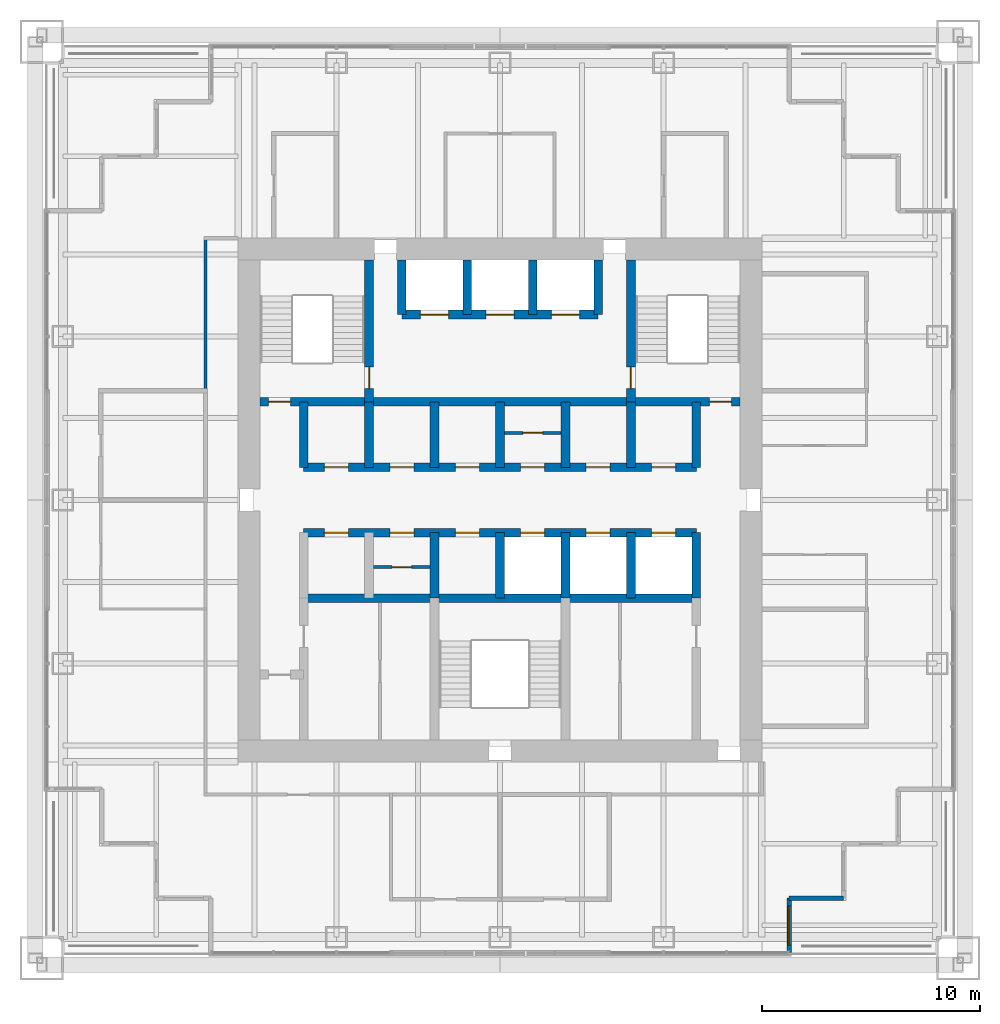
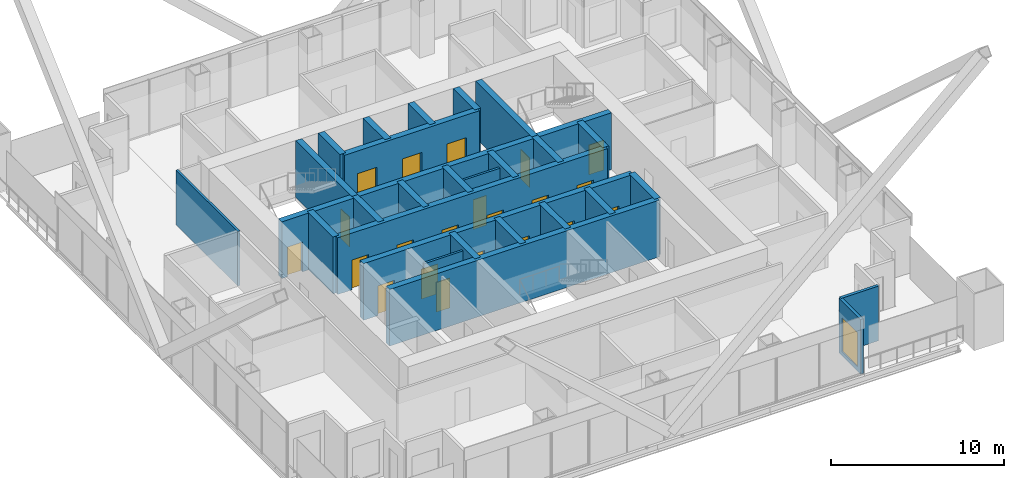
# One storey, part 13 of 17: 28 walls, 21 doors, 1 window, 22 openings.
"""IFC4 building model written with IfcOpenShell, lengths in metres."""

from ifc_helpers import new_model, si_unit, direction, frame, frame_2d, origin, place, context, subcontext, project, spatial, rectangle, extrude, material, layer, layer_set, type_object, element, fill, save


model = new_model("IFC4")

# Units and contexts
model_context = context("Model", 3, precision=1e-05, world=origin(), true_north=direction((0.0, 1.0)))
body_context = subcontext(model_context, "Body", "Model", "MODEL_VIEW")
ifc_project = project(units=[si_unit("LENGTHUNIT", "METRE"), si_unit("AREAUNIT", "SQUARE_METRE"), si_unit("VOLUMEUNIT", "CUBIC_METRE"), si_unit("PLANEANGLEUNIT", "RADIAN"), si_unit("MASSUNIT", "GRAM", prefix="KILO")], contexts=[model_context])

# Site, building, storey
site_placement = place(None, origin())
site = spatial("IfcSite", under=ifc_project, at=site_placement, CompositionType="ELEMENT")
building_placement = place(site_placement, origin())
building = spatial("IfcBuilding", under=site, at=building_placement, Name="Tarangal Relay Tower", CompositionType="ELEMENT")
storey_placement = place(building_placement, frame((0.0, 0.0, 315.89990234375)))
storey = spatial("IfcBuildingStorey", under=building, at=storey_placement, Name="L70", CompositionType="ELEMENT", Elevation=315.89990234375)

# Wall, openings, doors
ifc_material_1 = material(Name="Concrete fc' 60 MPa", Category="concrete")
ifc_layer_1 = layer(ifc_material_1, 0.39990234375)
ifc_layer_set_1 = layer_set([ifc_layer_1], Name="Core inner wall 400")
wall_type_1 = type_object("IfcWallType", Name="Core inner wall 400", PredefinedType="SHEAR", material=ifc_layer_set_1)
wall_1_placement = place(storey_placement, frame((-11.0, 4.5, 0.0), z_axis=(0.0, 0.0, 1.0), x_axis=(1.0, 0.0, 0.0)))
wall_1 = element("IfcWall", 1, at=wall_1_placement, inside=storey, type_object=wall_type_1, Name="Core wall Y45 L70", PredefinedType="SHEAR", context=body_context, shape_type="SweptSolid", body=[
    extrude(rectangle(XDim=22.0, YDim=0.39990234375, at=frame_2d((11.0, 0.0))), origin(), (0.0, 0.0, 1.0), 4.0),
])
opening_1_placement = place(wall_1_placement, frame((0.39990234375, 0.0, 0.0)))
opening_1 = element("IfcOpeningElement", 2, at=opening_1_placement, cuts=wall_1, Name="Opening FD1", PredefinedType="OPENING", context=body_context, shape_type="SweptSolid", body=[
    extrude(rectangle(XDim=1.0, YDim=2.10009765625, at=frame_2d((0.5, 1.050048828125))), frame((0.0, 0.2099609375, 0.0), z_axis=(0.0, -1.0, 0.0), x_axis=(1.0, 0.0, 0.0)), (0.0, 0.0, 1.0), 0.419921875),
])
opening_2_placement = place(wall_1_placement, frame((20.60009765625, 0.0, 0.0)))
opening_2 = element("IfcOpeningElement", 3, at=opening_2_placement, cuts=wall_1, Name="Opening FD1", PredefinedType="OPENING", context=body_context, shape_type="SweptSolid", body=[
    extrude(rectangle(XDim=1.0, YDim=2.10009765625, at=frame_2d((0.5, 1.050048828125))), frame((0.0, 0.2099609375, 0.0), z_axis=(0.0, -1.0, 0.0), x_axis=(1.0, 0.0, 0.0)), (0.0, 0.0, 1.0), 0.419921875),
])
ifc_material_2 = material(Name="Steel door with hardwood frame", Category="steel")
door_type_1 = type_object("IfcDoorType", Name="Fire door 1000 x 2100", OperationType="SINGLE_SWING_LEFT", PredefinedType="DOOR", material=ifc_material_2)
door_1_placement = place(opening_1_placement, origin())
door_1 = element("IfcDoor", 4, at=door_1_placement, inside=storey, type_object=door_type_1, Name="Stair ST-A door from corridor L70", OperationType="SINGLE_SWING_LEFT", OverallHeight=2.10009765625, OverallWidth=1.0, PredefinedType="DOOR", context=body_context, shape_type="SweptSolid", body=[
    extrude(rectangle(XDim=1.0, YDim=2.10009765625, at=frame_2d((0.5, 1.050048828125))), frame((0.0, 0.02490234375, 0.0), z_axis=(0.0, -1.0, 0.0), x_axis=(1.0, 0.0, 0.0)), (0.0, 0.0, 1.0), 0.050048828125),
])
fill(opening_1, door_1)
door_2_placement = place(opening_2_placement, origin())
door_2 = element("IfcDoor", 5, at=door_2_placement, inside=storey, type_object=door_type_1, Name="Stair ST-B door from corridor L70", OperationType="SINGLE_SWING_LEFT", OverallHeight=2.10009765625, OverallWidth=1.0, PredefinedType="DOOR", context=body_context, shape_type="SweptSolid", body=[
    extrude(rectangle(XDim=1.0, YDim=2.10009765625, at=frame_2d((0.5, 1.050048828125))), frame((0.0, 0.02490234375, 0.0), z_axis=(0.0, -1.0, 0.0), x_axis=(1.0, 0.0, 0.0)), (0.0, 0.0, 1.0), 0.050048828125),
])
fill(opening_2, door_2)

wall_2_placement = place(storey_placement, frame((-9.0, 1.5, 0.0), z_axis=(0.0, 0.0, 1.0), x_axis=(1.0, 0.0, 0.0)))
wall_2 = element("IfcWall", 6, at=wall_2_placement, inside=storey, type_object=wall_type_1, Name="Core wall Y15 L70", PredefinedType="SHEAR", context=body_context, shape_type="SweptSolid", body=[
    extrude(rectangle(XDim=18.0, YDim=0.39990234375, at=frame_2d((9.0, 0.0))), origin(), (0.0, 0.0, 1.0), 4.0),
])
opening_3_placement = place(wall_2_placement, frame((0.949951171875, 0.0, 0.0)))
opening_3 = element("IfcOpeningElement", 7, at=opening_3_placement, cuts=wall_2, Name="Opening D4", PredefinedType="OPENING", context=body_context, shape_type="SweptSolid", body=[
    extrude(rectangle(XDim=1.10009765625, YDim=2.10009765625, at=frame_2d((0.550048828125, 1.050048828125))), frame((0.0, 0.2099609375, 0.0), z_axis=(0.0, -1.0, 0.0), x_axis=(1.0, 0.0, 0.0)), (0.0, 0.0, 1.0), 0.419921875),
])
opening_4_placement = place(wall_2_placement, frame((3.949951171875, 0.0, 0.0)))
opening_4 = element("IfcOpeningElement", 8, at=opening_4_placement, cuts=wall_2, Name="Opening D4", PredefinedType="OPENING", context=body_context, shape_type="SweptSolid", body=[
    extrude(rectangle(XDim=1.10009765625, YDim=2.10009765625, at=frame_2d((0.550048828125, 1.050048828125))), frame((0.0, 0.2099609375, 0.0), z_axis=(0.0, -1.0, 0.0), x_axis=(1.0, 0.0, 0.0)), (0.0, 0.0, 1.0), 0.419921875),
])
opening_5_placement = place(wall_2_placement, frame((6.949951171875, 0.0, 0.0)))
opening_5 = element("IfcOpeningElement", 9, at=opening_5_placement, cuts=wall_2, Name="Opening D4", PredefinedType="OPENING", context=body_context, shape_type="SweptSolid", body=[
    extrude(rectangle(XDim=1.10009765625, YDim=2.10009765625, at=frame_2d((0.550048828125, 1.050048828125))), frame((0.0, 0.2099609375, 0.0), z_axis=(0.0, -1.0, 0.0), x_axis=(1.0, 0.0, 0.0)), (0.0, 0.0, 1.0), 0.419921875),
])
opening_6_placement = place(wall_2_placement, frame((9.949951171875, 0.0, 0.0)))
opening_6 = element("IfcOpeningElement", 10, at=opening_6_placement, cuts=wall_2, Name="Opening D4", PredefinedType="OPENING", context=body_context, shape_type="SweptSolid", body=[
    extrude(rectangle(XDim=1.10009765625, YDim=2.10009765625, at=frame_2d((0.550048828125, 1.050048828125))), frame((0.0, 0.2099609375, 0.0), z_axis=(0.0, -1.0, 0.0), x_axis=(1.0, 0.0, 0.0)), (0.0, 0.0, 1.0), 0.419921875),
])
opening_7_placement = place(wall_2_placement, frame((12.949951171875, 0.0, 0.0)))
opening_7 = element("IfcOpeningElement", 11, at=opening_7_placement, cuts=wall_2, Name="Opening D4", PredefinedType="OPENING", context=body_context, shape_type="SweptSolid", body=[
    extrude(rectangle(XDim=1.10009765625, YDim=2.10009765625, at=frame_2d((0.550048828125, 1.050048828125))), frame((0.0, 0.2099609375, 0.0), z_axis=(0.0, -1.0, 0.0), x_axis=(1.0, 0.0, 0.0)), (0.0, 0.0, 1.0), 0.419921875),
])
opening_8_placement = place(wall_2_placement, frame((15.949951171875, 0.0, 0.0)))
opening_8 = element("IfcOpeningElement", 12, at=opening_8_placement, cuts=wall_2, Name="Opening D4", PredefinedType="OPENING", context=body_context, shape_type="SweptSolid", body=[
    extrude(rectangle(XDim=1.10009765625, YDim=2.10009765625, at=frame_2d((0.550048828125, 1.050048828125))), frame((0.0, 0.2099609375, 0.0), z_axis=(0.0, -1.0, 0.0), x_axis=(1.0, 0.0, 0.0)), (0.0, 0.0, 1.0), 0.419921875),
])
door_type_2 = type_object("IfcDoorType", Name="Core room door 1100 x 2100", OperationType="SINGLE_SWING_RIGHT", PredefinedType="DOOR", material=ifc_material_2)
door_3_placement = place(opening_3_placement, origin())
door_3 = element("IfcDoor", 13, at=door_3_placement, inside=storey, type_object=door_type_2, Name="Door D4 to cleaner's store L70-D1", OperationType="SINGLE_SWING_RIGHT", OverallHeight=2.10009765625, OverallWidth=1.10009765625, PredefinedType="DOOR", context=body_context, shape_type="SweptSolid", body=[
    extrude(rectangle(XDim=1.10009765625, YDim=2.10009765625, at=frame_2d((0.550048828125, 1.050048828125))), frame((0.0, 0.02490234375, 0.0), z_axis=(0.0, -1.0, 0.0), x_axis=(1.0, 0.0, 0.0)), (0.0, 0.0, 1.0), 0.050048828125),
])
fill(opening_3, door_3)
door_4_placement = place(opening_4_placement, origin())
door_4 = element("IfcDoor", 14, at=door_4_placement, inside=storey, type_object=door_type_2, Name="Door D4 to staff wc L70-D2", OperationType="SINGLE_SWING_RIGHT", OverallHeight=2.10009765625, OverallWidth=1.10009765625, PredefinedType="DOOR", context=body_context, shape_type="SweptSolid", body=[
    extrude(rectangle(XDim=1.10009765625, YDim=2.10009765625, at=frame_2d((0.550048828125, 1.050048828125))), frame((0.0, 0.02490234375, 0.0), z_axis=(0.0, -1.0, 0.0), x_axis=(1.0, 0.0, 0.0)), (0.0, 0.0, 1.0), 0.050048828125),
])
fill(opening_4, door_4)
door_5_placement = place(opening_5_placement, origin())
door_5 = element("IfcDoor", 15, at=door_5_placement, inside=storey, type_object=door_type_2, Name="Door D4 to staff pantry L70-D3", OperationType="SINGLE_SWING_RIGHT", OverallHeight=2.10009765625, OverallWidth=1.10009765625, PredefinedType="DOOR", context=body_context, shape_type="SweptSolid", body=[
    extrude(rectangle(XDim=1.10009765625, YDim=2.10009765625, at=frame_2d((0.550048828125, 1.050048828125))), frame((0.0, 0.02490234375, 0.0), z_axis=(0.0, -1.0, 0.0), x_axis=(1.0, 0.0, 0.0)), (0.0, 0.0, 1.0), 0.050048828125),
])
fill(opening_5, door_5)
door_6_placement = place(opening_6_placement, origin())
door_6 = element("IfcDoor", 16, at=door_6_placement, inside=storey, type_object=door_type_2, Name="Door D4 to it room L70-T1", OperationType="SINGLE_SWING_RIGHT", OverallHeight=2.10009765625, OverallWidth=1.10009765625, PredefinedType="DOOR", context=body_context, shape_type="SweptSolid", body=[
    extrude(rectangle(XDim=1.10009765625, YDim=2.10009765625, at=frame_2d((0.550048828125, 1.050048828125))), frame((0.0, 0.02490234375, 0.0), z_axis=(0.0, -1.0, 0.0), x_axis=(1.0, 0.0, 0.0)), (0.0, 0.0, 1.0), 0.050048828125),
])
fill(opening_6, door_6)
door_7_placement = place(opening_7_placement, origin())
door_7 = element("IfcDoor", 17, at=door_7_placement, inside=storey, type_object=door_type_2, Name="Door D4 to cleaner's store L70-T2", OperationType="SINGLE_SWING_RIGHT", OverallHeight=2.10009765625, OverallWidth=1.10009765625, PredefinedType="DOOR", context=body_context, shape_type="SweptSolid", body=[
    extrude(rectangle(XDim=1.10009765625, YDim=2.10009765625, at=frame_2d((0.550048828125, 1.050048828125))), frame((0.0, 0.02490234375, 0.0), z_axis=(0.0, -1.0, 0.0), x_axis=(1.0, 0.0, 0.0)), (0.0, 0.0, 1.0), 0.050048828125),
])
fill(opening_7, door_7)
door_8_placement = place(opening_8_placement, origin())
door_8 = element("IfcDoor", 18, at=door_8_placement, inside=storey, type_object=door_type_2, Name="Door D4 to staff wc L70-T3", OperationType="SINGLE_SWING_RIGHT", OverallHeight=2.10009765625, OverallWidth=1.10009765625, PredefinedType="DOOR", context=body_context, shape_type="SweptSolid", body=[
    extrude(rectangle(XDim=1.10009765625, YDim=2.10009765625, at=frame_2d((0.550048828125, 1.050048828125))), frame((0.0, 0.02490234375, 0.0), z_axis=(0.0, -1.0, 0.0), x_axis=(1.0, 0.0, 0.0)), (0.0, 0.0, 1.0), 0.050048828125),
])
fill(opening_8, door_8)

wall_3_placement = place(storey_placement, frame((-9.0, -1.5, 0.0), z_axis=(0.0, 0.0, 1.0), x_axis=(1.0, 0.0, 0.0)))
wall_3 = element("IfcWall", 19, at=wall_3_placement, inside=storey, type_object=wall_type_1, Name="Core wall YM15 L70", PredefinedType="SHEAR", context=body_context, shape_type="SweptSolid", body=[
    extrude(rectangle(XDim=18.0, YDim=0.39990234375, at=frame_2d((9.0, 0.0))), origin(), (0.0, 0.0, 1.0), 4.0),
])
opening_9_placement = place(wall_3_placement, frame((9.949951171875, 0.0, 0.0)))
opening_9 = element("IfcOpeningElement", 20, at=opening_9_placement, cuts=wall_3, Name="Opening LD1", PredefinedType="OPENING", context=body_context, shape_type="SweptSolid", body=[
    extrude(rectangle(XDim=1.10009765625, YDim=2.10009765625, at=frame_2d((0.550048828125, 1.050048828125))), frame((0.0, 0.2099609375, 0.0), z_axis=(0.0, -1.0, 0.0), x_axis=(1.0, 0.0, 0.0)), (0.0, 0.0, 1.0), 0.419921875),
])
opening_10_placement = place(wall_3_placement, frame((12.949951171875, 0.0, 0.0)))
opening_10 = element("IfcOpeningElement", 21, at=opening_10_placement, cuts=wall_3, Name="Opening LD1", PredefinedType="OPENING", context=body_context, shape_type="SweptSolid", body=[
    extrude(rectangle(XDim=1.10009765625, YDim=2.10009765625, at=frame_2d((0.550048828125, 1.050048828125))), frame((0.0, 0.2099609375, 0.0), z_axis=(0.0, -1.0, 0.0), x_axis=(1.0, 0.0, 0.0)), (0.0, 0.0, 1.0), 0.419921875),
])
opening_11_placement = place(wall_3_placement, frame((15.949951171875, 0.0, 0.0)))
opening_11 = element("IfcOpeningElement", 22, at=opening_11_placement, cuts=wall_3, Name="Opening LD1", PredefinedType="OPENING", context=body_context, shape_type="SweptSolid", body=[
    extrude(rectangle(XDim=1.10009765625, YDim=2.10009765625, at=frame_2d((0.550048828125, 1.050048828125))), frame((0.0, 0.2099609375, 0.0), z_axis=(0.0, -1.0, 0.0), x_axis=(1.0, 0.0, 0.0)), (0.0, 0.0, 1.0), 0.419921875),
])
opening_12_placement = place(wall_3_placement, frame((0.949951171875, 0.0, 0.0)))
opening_12 = element("IfcOpeningElement", 23, at=opening_12_placement, cuts=wall_3, Name="Opening D4", PredefinedType="OPENING", context=body_context, shape_type="SweptSolid", body=[
    extrude(rectangle(XDim=1.10009765625, YDim=2.10009765625, at=frame_2d((0.550048828125, 1.050048828125))), frame((0.0, 0.2099609375, 0.0), z_axis=(0.0, -1.0, 0.0), x_axis=(1.0, 0.0, 0.0)), (0.0, 0.0, 1.0), 0.419921875),
])
opening_13_placement = place(wall_3_placement, frame((3.949951171875, 0.0, 0.0)))
opening_13 = element("IfcOpeningElement", 24, at=opening_13_placement, cuts=wall_3, Name="Opening D4", PredefinedType="OPENING", context=body_context, shape_type="SweptSolid", body=[
    extrude(rectangle(XDim=1.10009765625, YDim=2.10009765625, at=frame_2d((0.550048828125, 1.050048828125))), frame((0.0, 0.2099609375, 0.0), z_axis=(0.0, -1.0, 0.0), x_axis=(1.0, 0.0, 0.0)), (0.0, 0.0, 1.0), 0.419921875),
])
opening_14_placement = place(wall_3_placement, frame((6.949951171875, 0.0, 0.0)))
opening_14 = element("IfcOpeningElement", 25, at=opening_14_placement, cuts=wall_3, Name="Opening D4", PredefinedType="OPENING", context=body_context, shape_type="SweptSolid", body=[
    extrude(rectangle(XDim=1.10009765625, YDim=2.10009765625, at=frame_2d((0.550048828125, 1.050048828125))), frame((0.0, 0.2099609375, 0.0), z_axis=(0.0, -1.0, 0.0), x_axis=(1.0, 0.0, 0.0)), (0.0, 0.0, 1.0), 0.419921875),
])
door_9_placement = place(opening_12_placement, origin())
door_9 = element("IfcDoor", 26, at=door_9_placement, inside=storey, type_object=door_type_2, Name="Door D4 to staff pantry L70-S1", OperationType="SINGLE_SWING_RIGHT", OverallHeight=2.10009765625, OverallWidth=1.10009765625, PredefinedType="DOOR", context=body_context, shape_type="SweptSolid", body=[
    extrude(rectangle(XDim=1.10009765625, YDim=2.10009765625, at=frame_2d((0.550048828125, 1.050048828125))), frame((0.0, 0.02490234375, 0.0), z_axis=(0.0, -1.0, 0.0), x_axis=(1.0, 0.0, 0.0)), (0.0, 0.0, 1.0), 0.050048828125),
])
fill(opening_12, door_9)
door_10_placement = place(opening_13_placement, origin())
door_10 = element("IfcDoor", 27, at=door_10_placement, inside=storey, type_object=door_type_2, Name="Door D4 to it room L70-S2", OperationType="SINGLE_SWING_RIGHT", OverallHeight=2.10009765625, OverallWidth=1.10009765625, PredefinedType="DOOR", context=body_context, shape_type="SweptSolid", body=[
    extrude(rectangle(XDim=1.10009765625, YDim=2.10009765625, at=frame_2d((0.550048828125, 1.050048828125))), frame((0.0, 0.02490234375, 0.0), z_axis=(0.0, -1.0, 0.0), x_axis=(1.0, 0.0, 0.0)), (0.0, 0.0, 1.0), 0.050048828125),
])
fill(opening_13, door_10)
door_11_placement = place(opening_14_placement, origin())
door_11 = element("IfcDoor", 28, at=door_11_placement, inside=storey, type_object=door_type_2, Name="Door D4 to cleaner's store L70-S3", OperationType="SINGLE_SWING_RIGHT", OverallHeight=2.10009765625, OverallWidth=1.10009765625, PredefinedType="DOOR", context=body_context, shape_type="SweptSolid", body=[
    extrude(rectangle(XDim=1.10009765625, YDim=2.10009765625, at=frame_2d((0.550048828125, 1.050048828125))), frame((0.0, 0.02490234375, 0.0), z_axis=(0.0, -1.0, 0.0), x_axis=(1.0, 0.0, 0.0)), (0.0, 0.0, 1.0), 0.050048828125),
])
fill(opening_14, door_11)
door_type_3 = type_object("IfcDoorType", Name="Lift landing door 1100 x 2100", OperationType="SLIDING_TO_LEFT", PredefinedType="DOOR", material=ifc_material_2)
door_12_placement = place(opening_9_placement, origin())
door_12 = element("IfcDoor", 29, at=door_12_placement, inside=storey, type_object=door_type_3, Name="Lift OH1 landing door L70", OperationType="SLIDING_TO_LEFT", OverallHeight=2.10009765625, OverallWidth=1.10009765625, PredefinedType="DOOR", context=body_context, shape_type="SweptSolid", body=[
    extrude(rectangle(XDim=1.10009765625, YDim=2.10009765625, at=frame_2d((0.550048828125, 1.050048828125))), frame((0.0, 0.02490234375, 0.0), z_axis=(0.0, -1.0, 0.0), x_axis=(1.0, 0.0, 0.0)), (0.0, 0.0, 1.0), 0.050048828125),
])
fill(opening_9, door_12)
door_13_placement = place(opening_10_placement, origin())
door_13 = element("IfcDoor", 30, at=door_13_placement, inside=storey, type_object=door_type_3, Name="Lift OH2 landing door L70", OperationType="SLIDING_TO_LEFT", OverallHeight=2.10009765625, OverallWidth=1.10009765625, PredefinedType="DOOR", context=body_context, shape_type="SweptSolid", body=[
    extrude(rectangle(XDim=1.10009765625, YDim=2.10009765625, at=frame_2d((0.550048828125, 1.050048828125))), frame((0.0, 0.02490234375, 0.0), z_axis=(0.0, -1.0, 0.0), x_axis=(1.0, 0.0, 0.0)), (0.0, 0.0, 1.0), 0.050048828125),
])
fill(opening_10, door_13)
door_14_placement = place(opening_11_placement, origin())
door_14 = element("IfcDoor", 31, at=door_14_placement, inside=storey, type_object=door_type_3, Name="Lift OH3 landing door L70", OperationType="SLIDING_TO_LEFT", OverallHeight=2.10009765625, OverallWidth=1.10009765625, PredefinedType="DOOR", context=body_context, shape_type="SweptSolid", body=[
    extrude(rectangle(XDim=1.10009765625, YDim=2.10009765625, at=frame_2d((0.550048828125, 1.050048828125))), frame((0.0, 0.02490234375, 0.0), z_axis=(0.0, -1.0, 0.0), x_axis=(1.0, 0.0, 0.0)), (0.0, 0.0, 1.0), 0.050048828125),
])
fill(opening_11, door_14)

# Wall
wall_4_placement = place(storey_placement, frame((-9.0, -4.5, 0.0), z_axis=(0.0, 0.0, 1.0), x_axis=(1.0, 0.0, 0.0)))
element("IfcWall", 32, at=wall_4_placement, inside=storey, type_object=wall_type_1, Name="Core wall YM45 L70", PredefinedType="SHEAR", context=body_context, shape_type="SweptSolid", body=[
    extrude(rectangle(XDim=18.0, YDim=0.39990234375, at=frame_2d((9.0, 0.0))), origin(), (0.0, 0.0, 1.0), 4.0),
])

# Wall, openings, doors
wall_5_placement = place(storey_placement, frame((-4.5, 8.5, 0.0), z_axis=(0.0, 0.0, 1.0), x_axis=(1.0, 0.0, 0.0)))
wall_5 = element("IfcWall", 33, at=wall_5_placement, inside=storey, type_object=wall_type_1, Name="Core wall Y85 L70", PredefinedType="SHEAR", context=body_context, shape_type="SweptSolid", body=[
    extrude(rectangle(XDim=9.0, YDim=0.39990234375, at=frame_2d((4.5, 0.0))), origin(), (0.0, 0.0, 1.0), 4.0),
])
opening_15_placement = place(wall_5_placement, frame((0.85009765625, 0.0, 0.0)))
opening_15 = element("IfcOpeningElement", 34, at=opening_15_placement, cuts=wall_5, Name="Opening LD2", PredefinedType="OPENING", context=body_context, shape_type="SweptSolid", body=[
    extrude(rectangle(XDim=1.300048828125, YDim=2.39990234375, at=frame_2d((0.64990234375, 1.199951171875))), frame((0.0, 0.2099609375, 0.0), z_axis=(0.0, -1.0, 0.0), x_axis=(1.0, 0.0, 0.0)), (0.0, 0.0, 1.0), 0.419921875),
])
opening_16_placement = place(wall_5_placement, frame((6.85009765625, 0.0, 0.0)))
opening_16 = element("IfcOpeningElement", 35, at=opening_16_placement, cuts=wall_5, Name="Opening LD2", PredefinedType="OPENING", context=body_context, shape_type="SweptSolid", body=[
    extrude(rectangle(XDim=1.300048828125, YDim=2.39990234375, at=frame_2d((0.64990234375, 1.199951171875))), frame((0.0, 0.2099609375, 0.0), z_axis=(0.0, -1.0, 0.0), x_axis=(1.0, 0.0, 0.0)), (0.0, 0.0, 1.0), 0.419921875),
])
opening_17_placement = place(wall_5_placement, frame((3.85009765625, 0.0, 0.0)))
opening_17 = element("IfcOpeningElement", 36, at=opening_17_placement, cuts=wall_5, Name="Opening LD2", PredefinedType="OPENING", context=body_context, shape_type="SweptSolid", body=[
    extrude(rectangle(XDim=1.300048828125, YDim=2.39990234375, at=frame_2d((0.64990234375, 1.199951171875))), frame((0.0, 0.2099609375, 0.0), z_axis=(0.0, -1.0, 0.0), x_axis=(1.0, 0.0, 0.0)), (0.0, 0.0, 1.0), 0.419921875),
])
door_type_4 = type_object("IfcDoorType", Name="Lift landing door 1300 x 2400", OperationType="SLIDING_TO_LEFT", PredefinedType="DOOR", material=ifc_material_2)
door_15_placement = place(opening_15_placement, origin())
door_15 = element("IfcDoor", 37, at=door_15_placement, inside=storey, type_object=door_type_4, Name="Lift FF1 landing door L70", OperationType="SLIDING_TO_LEFT", OverallHeight=2.39990234375, OverallWidth=1.300048828125, PredefinedType="DOOR", context=body_context, shape_type="SweptSolid", body=[
    extrude(rectangle(XDim=1.300048828125, YDim=2.39990234375, at=frame_2d((0.64990234375, 1.199951171875))), frame((0.0, 0.02490234375, 0.0), z_axis=(0.0, -1.0, 0.0), x_axis=(1.0, 0.0, 0.0)), (0.0, 0.0, 1.0), 0.050048828125),
])
fill(opening_15, door_15)
door_16_placement = place(opening_16_placement, origin())
door_16 = element("IfcDoor", 38, at=door_16_placement, inside=storey, type_object=door_type_4, Name="Lift FF2 landing door L70", OperationType="SLIDING_TO_LEFT", OverallHeight=2.39990234375, OverallWidth=1.300048828125, PredefinedType="DOOR", context=body_context, shape_type="SweptSolid", body=[
    extrude(rectangle(XDim=1.300048828125, YDim=2.39990234375, at=frame_2d((0.64990234375, 1.199951171875))), frame((0.0, 0.02490234375, 0.0), z_axis=(0.0, -1.0, 0.0), x_axis=(1.0, 0.0, 0.0)), (0.0, 0.0, 1.0), 0.050048828125),
])
fill(opening_16, door_16)
door_17_placement = place(opening_17_placement, origin())
door_17 = element("IfcDoor", 39, at=door_17_placement, inside=storey, type_object=door_type_4, Name="Lift SV1 landing door L70", OperationType="SLIDING_TO_LEFT", OverallHeight=2.39990234375, OverallWidth=1.300048828125, PredefinedType="DOOR", context=body_context, shape_type="SweptSolid", body=[
    extrude(rectangle(XDim=1.300048828125, YDim=2.39990234375, at=frame_2d((0.64990234375, 1.199951171875))), frame((0.0, 0.02490234375, 0.0), z_axis=(0.0, -1.0, 0.0), x_axis=(1.0, 0.0, 0.0)), (0.0, 0.0, 1.0), 0.050048828125),
])
fill(opening_17, door_17)

# Walls
for number, where, z_axis, x_axis, name in (
    (40, (-9.0, 1.5, 0.0), (0.0, 0.0, 1.0), (0.0, 1.0, 0.0), "Core wall XM9N L70"),
    (41, (9.0, 1.5, 0.0), (0.0, 0.0, 1.0), (0.0, 1.0, 0.0), "Core wall X9N L70"),
    (42, (9.0, -4.5, 0.0), (0.0, 0.0, 1.0), (0.0, 1.0, 0.0), "Core wall X9S L70"),
    (43, (-6.0, 1.5, 0.0), (0.0, 0.0, 1.0), (0.0, 1.0, 0.0), "Core wall XM6N L70"),
    (44, (-3.0, 1.5, 0.0), (0.0, 0.0, 1.0), (0.0, 1.0, 0.0), "Core wall XM3N L70"),
    (45, (0.0, 1.5, 0.0), (0.0, 0.0, 1.0), (0.0, 1.0, 0.0), "Core wall X0N L70"),
    (46, (3.0, 1.5, 0.0), (0.0, 0.0, 1.0), (0.0, 1.0, 0.0), "Core wall X3N L70"),
    (47, (6.0, 1.5, 0.0), (0.0, 0.0, 1.0), (0.0, 1.0, 0.0), "Core wall X6N L70"),
    (48, (-3.0, -4.5, 0.0), (0.0, 0.0, 1.0), (0.0, 1.0, 0.0), "Core wall XM3S L70"),
    (49, (0.0, -4.5, 0.0), (0.0, 0.0, 1.0), (0.0, 1.0, 0.0), "Core wall X0S L70"),
    (50, (3.0, -4.5, 0.0), (0.0, 0.0, 1.0), (0.0, 1.0, 0.0), "Core wall X3S L70"),
    (51, (6.0, -4.5, 0.0), (0.0, 0.0, 1.0), (0.0, 1.0, 0.0), "Core wall X6S L70"),
):
    element("IfcWall", number, at=place(storey_placement, frame(where, z_axis=z_axis, x_axis=x_axis)), inside=storey, type_object=wall_type_1, Name=name, PredefinedType="SHEAR", context=body_context, shape_type="SweptSolid", body=[
        extrude(rectangle(XDim=3.0, YDim=0.39990234375, at=frame_2d((1.5, 0.0))), origin(), (0.0, 0.0, 1.0), 4.0),
    ])

# Wall, opening, door
wall_6_placement = place(storey_placement, frame((-6.0, 4.5, 0.0), z_axis=(0.0, 0.0, 1.0), x_axis=(0.0, 1.0, 0.0)))
wall_6 = element("IfcWall", 52, at=wall_6_placement, inside=storey, type_object=wall_type_1, Name="Core wall XM6 L70", PredefinedType="SHEAR", context=body_context, shape_type="SweptSolid", body=[
    extrude(rectangle(XDim=6.5, YDim=0.39990234375, at=frame_2d((3.25, 0.0))), origin(), (0.0, 0.0, 1.0), 4.0),
])
opening_18_placement = place(wall_6_placement, frame((0.60009765625, 0.0, 0.0)))
opening_18 = element("IfcOpeningElement", 53, at=opening_18_placement, cuts=wall_6, Name="Opening FD1", PredefinedType="OPENING", context=body_context, shape_type="SweptSolid", body=[
    extrude(rectangle(XDim=1.0, YDim=2.10009765625, at=frame_2d((0.5, 1.050048828125))), frame((0.0, 0.2099609375, 0.0), z_axis=(0.0, -1.0, 0.0), x_axis=(1.0, 0.0, 0.0)), (0.0, 0.0, 1.0), 0.419921875),
])
door_18_placement = place(opening_18_placement, origin())
door_18 = element("IfcDoor", 54, at=door_18_placement, inside=storey, type_object=door_type_1, Name="Stair ST-A door from fire-fighting lobby L70", OperationType="SINGLE_SWING_LEFT", OverallHeight=2.10009765625, OverallWidth=1.0, PredefinedType="DOOR", context=body_context, shape_type="SweptSolid", body=[
    extrude(rectangle(XDim=1.0, YDim=2.10009765625, at=frame_2d((0.5, 1.050048828125))), frame((0.0, 0.02490234375, 0.0), z_axis=(0.0, -1.0, 0.0), x_axis=(1.0, 0.0, 0.0)), (0.0, 0.0, 1.0), 0.050048828125),
])
fill(opening_18, door_18)

wall_7_placement = place(storey_placement, frame((6.0, 4.5, 0.0), z_axis=(0.0, 0.0, 1.0), x_axis=(0.0, 1.0, 0.0)))
wall_7 = element("IfcWall", 55, at=wall_7_placement, inside=storey, type_object=wall_type_1, Name="Core wall X6 L70", PredefinedType="SHEAR", context=body_context, shape_type="SweptSolid", body=[
    extrude(rectangle(XDim=6.5, YDim=0.39990234375, at=frame_2d((3.25, 0.0))), origin(), (0.0, 0.0, 1.0), 4.0),
])
opening_19_placement = place(wall_7_placement, frame((0.60009765625, 0.0, 0.0)))
opening_19 = element("IfcOpeningElement", 56, at=opening_19_placement, cuts=wall_7, Name="Opening FD1", PredefinedType="OPENING", context=body_context, shape_type="SweptSolid", body=[
    extrude(rectangle(XDim=1.0, YDim=2.10009765625, at=frame_2d((0.5, 1.050048828125))), frame((0.0, 0.2099609375, 0.0), z_axis=(0.0, -1.0, 0.0), x_axis=(1.0, 0.0, 0.0)), (0.0, 0.0, 1.0), 0.419921875),
])
door_19_placement = place(opening_19_placement, origin())
door_19 = element("IfcDoor", 57, at=door_19_placement, inside=storey, type_object=door_type_1, Name="Stair ST-B door from fire-fighting lobby L70", OperationType="SINGLE_SWING_LEFT", OverallHeight=2.10009765625, OverallWidth=1.0, PredefinedType="DOOR", context=body_context, shape_type="SweptSolid", body=[
    extrude(rectangle(XDim=1.0, YDim=2.10009765625, at=frame_2d((0.5, 1.050048828125))), frame((0.0, 0.02490234375, 0.0), z_axis=(0.0, -1.0, 0.0), x_axis=(1.0, 0.0, 0.0)), (0.0, 0.0, 1.0), 0.050048828125),
])
fill(opening_19, door_19)

# Walls
for number, where, z_axis, x_axis, name in (
    (58, (-4.5, 8.5, 0.0), (0.0, 0.0, 1.0), (0.0, 1.0, 0.0), "Core wall XM45 L70"),
    (59, (4.5, 8.5, 0.0), (0.0, 0.0, 1.0), (0.0, 1.0, 0.0), "Core wall X45 L70"),
    (60, (-1.5, 8.5, 0.0), (0.0, 0.0, 1.0), (0.0, 1.0, 0.0), "Core wall XM15 L70"),
    (61, (1.5, 8.5, 0.0), (0.0, 0.0, 1.0), (0.0, 1.0, 0.0), "Core wall X15 L70"),
):
    element("IfcWall", number, at=place(storey_placement, frame(where, z_axis=z_axis, x_axis=x_axis)), inside=storey, type_object=wall_type_1, Name=name, PredefinedType="SHEAR", context=body_context, shape_type="SweptSolid", body=[
        extrude(rectangle(XDim=2.5, YDim=0.39990234375, at=frame_2d((1.25, 0.0))), origin(), (0.0, 0.0, 1.0), 4.0),
    ])
ifc_material_3 = material(Name="Black metal clad insulated wall", Category="steel")
ifc_layer_2 = layer(ifc_material_3, 0.199951171875)
ifc_layer_set_2 = layer_set([ifc_layer_2], Name="Corner wall metal clad 200")
wall_type_2 = type_object("IfcWallType", Name="Corner wall metal clad 200", PredefinedType="SOLIDWALL", material=ifc_layer_set_2)
wall_8_placement = place(storey_placement, frame((15.75, -18.25, 0.0), z_axis=(0.0, 0.0, 1.0), x_axis=(-1.0, 0.0, 0.0)))
element("IfcWall", 62, at=wall_8_placement, inside=storey, type_object=wall_type_2, Name="Facade wall E facade L70", PredefinedType="SOLIDWALL", context=body_context, shape_type="SweptSolid", body=[
    extrude(rectangle(XDim=2.5, YDim=0.199951171875, at=frame_2d((1.25, 0.0))), origin(), (0.0, 0.0, 1.0), 3.85009765625),
])

# Wall, opening, window
wall_9_placement = place(storey_placement, frame((13.25, -18.25, 0.0), z_axis=(0.0, 0.0, 1.0), x_axis=(0.0, -1.0, 0.0)))
wall_9 = element("IfcWall", 63, at=wall_9_placement, inside=storey, type_object=wall_type_2, Name="Facade wall E facade L70", PredefinedType="SOLIDWALL", context=body_context, shape_type="SweptSolid", body=[
    extrude(rectangle(XDim=2.5, YDim=0.199951171875, at=frame_2d((1.25, 0.0))), origin(), (0.0, 0.0, 1.0), 3.85009765625),
])
opening_20_placement = place(wall_9_placement, frame((0.35009765625, 0.0, 0.300048828125)))
opening_20 = element("IfcOpeningElement", 64, at=opening_20_placement, cuts=wall_9, Name="Opening WN2", PredefinedType="OPENING", context=body_context, shape_type="SweptSolid", body=[
    extrude(rectangle(XDim=1.800048828125, YDim=2.39990234375, at=frame_2d((0.89990234375, 1.199951171875))), frame((0.0, 0.10986328125, 0.0), z_axis=(0.0, -1.0, 0.0), x_axis=(1.0, 0.0, 0.0)), (0.0, 0.0, 1.0), 0.219970703125),
])
ifc_material_4 = material(Name="Dark tinted double glazing in black aluminium frame", Category="aluminium")
window_type = type_object("IfcWindowType", Name="Corner window 1800 x 2400", PartitioningType="SINGLE_PANEL", PredefinedType="WINDOW", material=ifc_material_4)
window_placement = place(opening_20_placement, origin())
window = element("IfcWindow", 65, at=window_placement, inside=storey, type_object=window_type, Name="Corner window WN2 E facade L70", OverallHeight=2.39990234375, OverallWidth=1.800048828125, PartitioningType="SINGLE_PANEL", PredefinedType="WINDOW", context=body_context, shape_type="SweptSolid", body=[
    extrude(rectangle(XDim=1.800048828125, YDim=2.39990234375, at=frame_2d((0.89990234375, 1.199951171875))), frame((0.0, 0.030029296875, 0.0), z_axis=(0.0, -1.0, 0.0), x_axis=(1.0, 0.0, 0.0)), (0.0, 0.0, 1.0), 0.06005859375),
])
fill(opening_20, window)

# Wall
ifc_material_5 = material(Name="Gypsum board on steel studs", Category="steel")
ifc_layer_3 = layer(ifc_material_5, 0.14990234375)
ifc_layer_set_3 = layer_set([ifc_layer_3], Name="Partition 150")
wall_type_3 = type_object("IfcWallType", Name="Partition 150", PredefinedType="PARTITIONING", material=ifc_layer_set_3)
wall_10_placement = place(storey_placement, frame((-13.5, 4.925048828125, 0.0), z_axis=(0.0, 0.0, 1.0), x_axis=(0.0, 1.0, 0.0)))
element("IfcWall", 66, at=wall_10_placement, inside=storey, type_object=wall_type_3, Name="Partition PT1 L70", PredefinedType="PARTITIONING", context=body_context, shape_type="SweptSolid", body=[
    extrude(rectangle(XDim=7.14990234375, YDim=0.14990234375, at=frame_2d((3.574951171875, 0.0))), origin(), (0.0, 0.0, 1.0), 3.85009765625),
])

# Wall, opening, door
wall_11_placement = place(storey_placement, frame((0.199951171875, 3.074951171875, 0.0), z_axis=(0.0, 0.0, 1.0), x_axis=(1.0, 0.0, 0.0)))
wall_11 = element("IfcWall", 67, at=wall_11_placement, inside=storey, type_object=wall_type_3, Name="Partition PT1 L70", PredefinedType="PARTITIONING", context=body_context, shape_type="SweptSolid", body=[
    extrude(rectangle(XDim=2.60009765625, YDim=0.14990234375, at=frame_2d((1.300048828125, 0.0))), origin(), (0.0, 0.0, 1.0), 3.75),
])
opening_21_placement = place(wall_11_placement, frame((0.85009765625, 0.0, 0.0)))
opening_21 = element("IfcOpeningElement", 68, at=opening_21_placement, cuts=wall_11, Name="Opening D5", PredefinedType="OPENING", context=body_context, shape_type="SweptSolid", body=[
    extrude(rectangle(XDim=0.89990234375, YDim=2.10009765625, at=frame_2d((0.449951171875, 1.050048828125))), frame((0.0, 0.0849609375, 0.0), z_axis=(0.0, -1.0, 0.0), x_axis=(1.0, 0.0, 0.0)), (0.0, 0.0, 1.0), 0.169921875),
])
ifc_material_6 = material(Name="Hardwood door", Category="wood")
door_type_5 = type_object("IfcDoorType", Name="Cupboard door 900 x 2100", OperationType="SINGLE_SWING_LEFT", PredefinedType="DOOR", material=ifc_material_6)
door_20_placement = place(opening_21_placement, origin())
door_20 = element("IfcDoor", 69, at=door_20_placement, inside=storey, type_object=door_type_5, Name="Door D5 to it patch cupboard L70-T1B", OperationType="SINGLE_SWING_LEFT", OverallHeight=2.10009765625, OverallWidth=0.89990234375, PredefinedType="DOOR", context=body_context, shape_type="SweptSolid", body=[
    extrude(rectangle(XDim=0.89990234375, YDim=2.10009765625, at=frame_2d((0.449951171875, 1.050048828125))), frame((0.0, 0.02490234375, 0.0), z_axis=(0.0, -1.0, 0.0), x_axis=(1.0, 0.0, 0.0)), (0.0, 0.0, 1.0), 0.050048828125),
])
fill(opening_21, door_20)

wall_12_placement = place(storey_placement, frame((-5.800048828125, -3.074951171875, 0.0), z_axis=(0.0, 0.0, 1.0), x_axis=(1.0, 0.0, 0.0)))
wall_12 = element("IfcWall", 70, at=wall_12_placement, inside=storey, type_object=wall_type_3, Name="Partition PT1 L70", PredefinedType="PARTITIONING", context=body_context, shape_type="SweptSolid", body=[
    extrude(rectangle(XDim=2.60009765625, YDim=0.14990234375, at=frame_2d((1.300048828125, 0.0))), origin(), (0.0, 0.0, 1.0), 3.75),
])
opening_22_placement = place(wall_12_placement, frame((0.85009765625, 0.0, 0.0)))
opening_22 = element("IfcOpeningElement", 71, at=opening_22_placement, cuts=wall_12, Name="Opening D5", PredefinedType="OPENING", context=body_context, shape_type="SweptSolid", body=[
    extrude(rectangle(XDim=0.89990234375, YDim=2.10009765625, at=frame_2d((0.449951171875, 1.050048828125))), frame((0.0, 0.0849609375, 0.0), z_axis=(0.0, -1.0, 0.0), x_axis=(1.0, 0.0, 0.0)), (0.0, 0.0, 1.0), 0.169921875),
])
door_21_placement = place(opening_22_placement, origin())
door_21 = element("IfcDoor", 72, at=door_21_placement, inside=storey, type_object=door_type_5, Name="Door D5 to it patch cupboard L70-S2B", OperationType="SINGLE_SWING_LEFT", OverallHeight=2.10009765625, OverallWidth=0.89990234375, PredefinedType="DOOR", context=body_context, shape_type="SweptSolid", body=[
    extrude(rectangle(XDim=0.89990234375, YDim=2.10009765625, at=frame_2d((0.449951171875, 1.050048828125))), frame((0.0, 0.02490234375, 0.0), z_axis=(0.0, -1.0, 0.0), x_axis=(1.0, 0.0, 0.0)), (0.0, 0.0, 1.0), 0.050048828125),
])
fill(opening_22, door_21)

save(model, "model.ifc")
